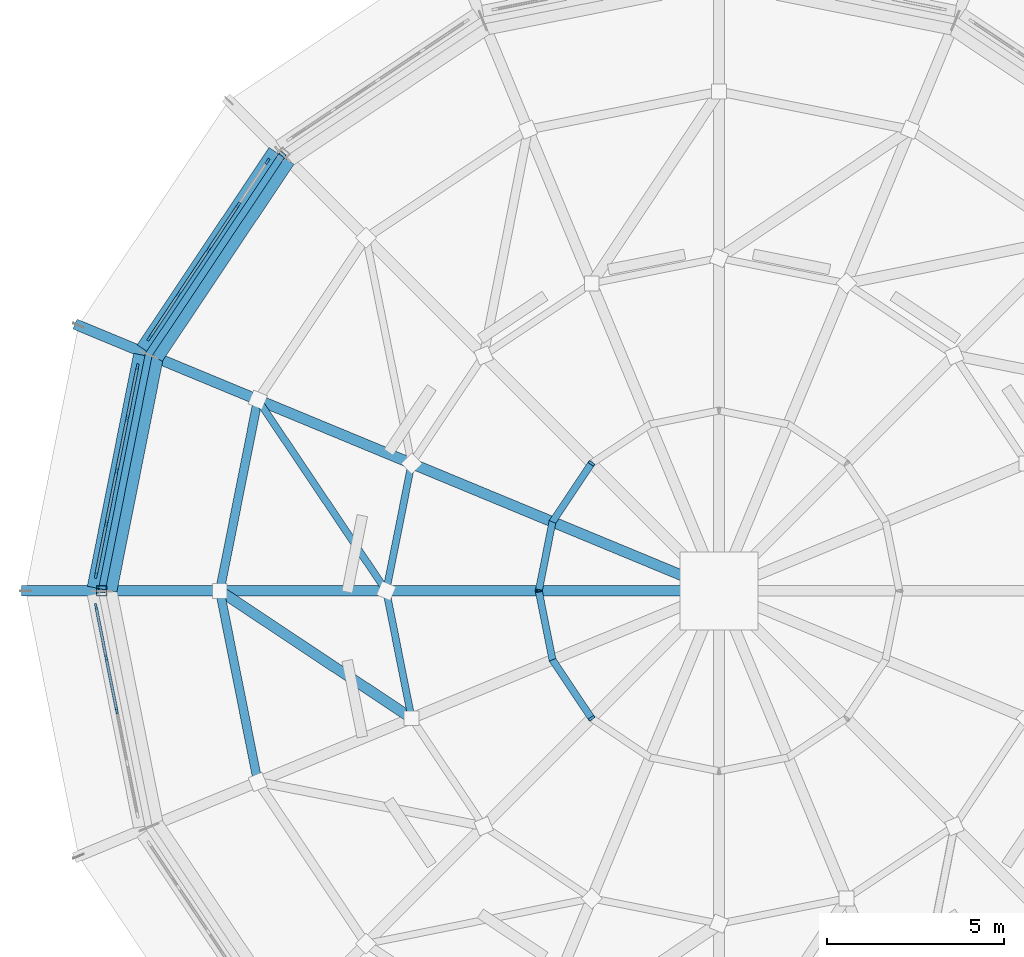
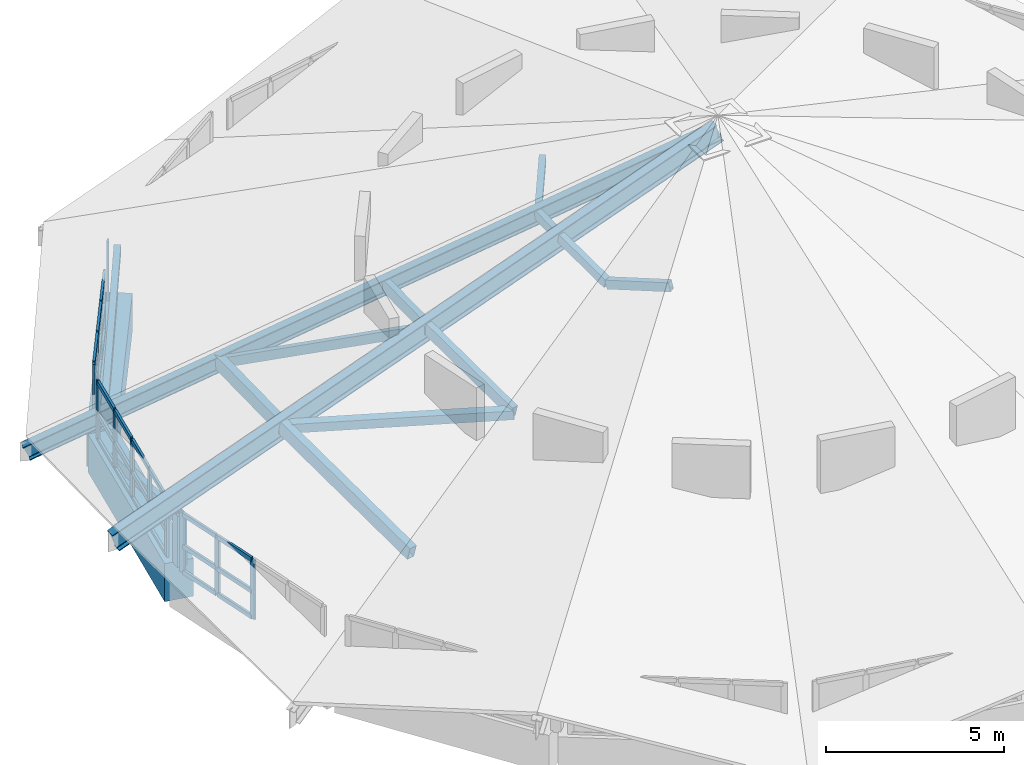
# One storey, part 4 of 18: 55 members, 2 beams, 3 elements without a shape of their own.
"""IFC4 building model written with IfcOpenShell, lengths in metres."""

from ifc_helpers import new_model, si_unit, direction, frame, origin, origin_2d, place, context, subcontext, project, spatial, rectangle, hollow_rectangle, i_section, extrude, material, material_profile, profile_set, type_object, element, aggregate, save


model = new_model("IFC4")

# Units and contexts
model_context = context("Model", 3, precision=1e-05, world=origin(), true_north=direction((0.0, 1.0)))
body_context = subcontext(model_context, "Body", "Model", "MODEL_VIEW")
ifc_project = project(units=[si_unit("LENGTHUNIT", "METRE"), si_unit("AREAUNIT", "SQUARE_METRE"), si_unit("VOLUMEUNIT", "CUBIC_METRE"), si_unit("PLANEANGLEUNIT", "RADIAN"), si_unit("MASSUNIT", "GRAM", prefix="KILO")], contexts=[model_context])

# Site, building, storey
site_placement = place(None, origin())
site = spatial("IfcSite", under=ifc_project, at=site_placement, CompositionType="ELEMENT")
building_placement = place(site_placement, origin())
building = spatial("IfcBuilding", under=site, at=building_placement, Name="Soyqirgoq Riverine Aquarium", CompositionType="ELEMENT")
storey_placement = place(building_placement, frame((0.0, 0.0, 29.39990234375)))
storey = spatial("IfcBuildingStorey", under=building, at=storey_placement, Name="RF", CompositionType="ELEMENT", Elevation=29.39990234375)

# Members
ifc_material_1 = material(Name="Structural steel S355", Category="steel")
ifc_material_profile_1 = material_profile(ifc_material_1, hollow_rectangle(XDim=0.199951171875, YDim=0.300048828125, WallThickness=0.011962890625, at=origin_2d()), Name="RHS 300x200x12")
ifc_profile_set_1 = profile_set([ifc_material_profile_1], Name="Structural steel S355")
member_type_1 = type_object("IfcMemberType", Name="ApexRing_RHS300x200", PredefinedType="STRUT", material=ifc_profile_set_1)
for number, where, z_axis, x_axis, name in (
    (1, (52.396484375, 60.603515625, 6.80810546875), (-0.537417023809, -0.804462441475, -0.253027909088), (0.831520982731, -0.555493344045, 0.0), "V1 Folded-Plate Circumferential Ring Chord 0094"),
    (2, (51.2919921875, 58.9501953125, 6.2880859375), (-0.18875253284, -0.948870504923, 0.25301629638), (0.980783212715, -0.195100716701, 0.0), "V1 Folded-Plate Circumferential Ring Chord 0099"),
):
    element("IfcMember", number, at=place(storey_placement, frame(where, z_axis=z_axis, x_axis=x_axis)), inside=storey, type_object=member_type_1, Name=name, PredefinedType="STRUT", context=body_context, shape_type="SweptSolid", body=[
        extrude(hollow_rectangle(XDim=0.199951171875, YDim=0.300048828125, WallThickness=0.011962890625, at=origin_2d()), origin(), (0.0, 0.0, 1.0), 2.05517578125),
    ])
member_1_placement = place(storey_placement, frame((42.962158203125, 62.400390625, 2.0361328125), z_axis=(0.501562687801, -0.746204375448, 0.437737250263), x_axis=(0.829943203229, 0.557847899892, 0.0)))
element("IfcMember", 3, at=member_1_placement, inside=storey, type_object=member_type_1, Name="V1 Folded-Plate Lateral Brace 08", PredefinedType="STRUT", context=body_context, shape_type="SweptSolid", body=[
    extrude(hollow_rectangle(XDim=0.199951171875, YDim=0.300048828125, WallThickness=0.011962890625, at=origin_2d()), origin(), (0.0, 0.0, 1.0), 7.237060546875),
])
for number, where, z_axis, x_axis, name in (
    (4, (50.904052734375, 57.0, 6.80810546875), (0.18875253284, -0.948870504923, -0.25301629638), (0.980783212715, 0.195100716701, 0.0), "V1 Folded-Plate Circumferential Ring Chord 0104"),
    (5, (51.2919921875, 55.0498046875, 6.2880859375), (0.537417023809, -0.804462441475, 0.253027909088), (0.831520982731, 0.555493344045, 0.0), "V1 Folded-Plate Circumferential Ring Chord 0109"),
):
    element("IfcMember", number, at=place(storey_placement, frame(where, z_axis=z_axis, x_axis=x_axis)), inside=storey, type_object=member_type_1, Name=name, PredefinedType="STRUT", context=body_context, shape_type="SweptSolid", body=[
        extrude(hollow_rectangle(XDim=0.199951171875, YDim=0.300048828125, WallThickness=0.011962890625, at=origin_2d()), origin(), (0.0, 0.0, 1.0), 2.05517578125),
    ])

# Curtain wall, members
ifc_material_2 = material(Name="Anodised aluminium acoustic solar-control clerestory glazing", Category="aluminium")
curtain_wall_type = type_object("IfcCurtainWallType", Name="CW_Clerestory_Ring", PredefinedType="NOTDEFINED", material=ifc_material_2)
curtain_wall_1_placement = place(storey_placement, origin())
curtain_wall_1 = element("IfcCurtainWall", 6, at=curtain_wall_1_placement, inside=storey, type_object=curtain_wall_type, Name="V1 RF Curtain Wall 029", PredefinedType="NOTDEFINED")
ifc_material_3 = material(Name="Anodised aluminium 6063-T6", Category="aluminium")
ifc_material_profile_2 = material_profile(ifc_material_3, rectangle(XDim=0.06494140625, YDim=0.179931640625, at=origin_2d()), Name="ALU-M 65x180")
ifc_profile_set_2 = profile_set([ifc_material_profile_2], Name="Anodised aluminium 6063-T6")
member_type_2 = type_object("IfcMemberType", Name="CWMullion_65x180", PredefinedType="MULLION", material=ifc_profile_set_2)
member_2_placement = place(storey_placement, frame((43.23291015625, 69.1396484375, -0.02001953125), z_axis=(0.0, 0.0, 1.0), x_axis=(0.831463994905, -0.555578639957, 0.0)))
member_2 = element("IfcMember", 7, at=member_2_placement, type_object=member_type_2, Name="CW-02 mullion 1", PredefinedType="MULLION", context=body_context, shape_type="SweptSolid", body=[
    extrude(rectangle(XDim=0.06494140625, YDim=0.179931640625, at=origin_2d()), origin(), (0.0, 0.0, 1.0), 2.0400390625),
])
member_3_placement = place(storey_placement, frame((42.408203125, 67.905517578125, -0.02001953125), z_axis=(0.0, 0.0, 1.0), x_axis=(0.831463994905, -0.555578639957, 0.0)))
member_3 = element("IfcMember", 8, at=member_3_placement, type_object=member_type_2, Name="CW-02 mullion 2", PredefinedType="MULLION", context=body_context, shape_type="SweptSolid", body=[
    extrude(rectangle(XDim=0.06494140625, YDim=0.179931640625, at=origin_2d()), origin(), (0.0, 0.0, 1.0), 2.0400390625),
])
member_4_placement = place(storey_placement, frame((41.565673828125, 66.64453125, -0.02001953125), z_axis=(0.0, 0.0, 1.0), x_axis=(0.831463994905, -0.555578639957, 0.0)))
member_4 = element("IfcMember", 9, at=member_4_placement, type_object=member_type_2, Name="CW-02 mullion 3", PredefinedType="MULLION", context=body_context, shape_type="SweptSolid", body=[
    extrude(rectangle(XDim=0.06494140625, YDim=0.179931640625, at=origin_2d()), origin(), (0.0, 0.0, 1.0), 2.0400390625),
])
member_5_placement = place(storey_placement, frame((40.72314453125, 65.3837890625, -0.02001953125), z_axis=(0.0, 0.0, 1.0), x_axis=(0.831463994905, -0.555578639957, 0.0)))
member_5 = element("IfcMember", 10, at=member_5_placement, type_object=member_type_2, Name="CW-02 mullion 4", PredefinedType="MULLION", context=body_context, shape_type="SweptSolid", body=[
    extrude(rectangle(XDim=0.06494140625, YDim=0.179931640625, at=origin_2d()), origin(), (0.0, 0.0, 1.0), 2.0400390625),
])
member_6_placement = place(storey_placement, frame((39.898681640625, 64.149658203125, -0.02001953125), z_axis=(0.0, 0.0, 1.0), x_axis=(0.831463994905, -0.555578639957, 0.0)))
member_6 = element("IfcMember", 11, at=member_6_placement, type_object=member_type_2, Name="CW-02 mullion 5", PredefinedType="MULLION", context=body_context, shape_type="SweptSolid", body=[
    extrude(rectangle(XDim=0.06494140625, YDim=0.179931640625, at=origin_2d()), origin(), (0.0, 0.0, 1.0), 2.0400390625),
])

curtain_wall_2_placement = place(storey_placement, origin())
curtain_wall_2 = element("IfcCurtainWall", 12, at=curtain_wall_2_placement, inside=storey, type_object=curtain_wall_type, Name="V1 RF Curtain Wall 031", PredefinedType="NOTDEFINED")
member_7_placement = place(storey_placement, frame((39.55908203125, 63.329833984375, -0.02001953125), z_axis=(0.0, 0.0, 1.0), x_axis=(0.980784299821, -0.19509525167, 0.0)))
member_7 = element("IfcMember", 13, at=member_7_placement, type_object=member_type_2, Name="CW-02 mullion 1", PredefinedType="MULLION", context=body_context, shape_type="SweptSolid", body=[
    extrude(rectangle(XDim=0.06494140625, YDim=0.179931640625, at=origin_2d()), origin(), (0.0, 0.0, 1.0), 2.0400390625),
])
member_8_placement = place(storey_placement, frame((39.26953125, 61.874267578125, -0.02001953125), z_axis=(0.0, 0.0, 1.0), x_axis=(0.980784299821, -0.19509525167, 0.0)))
member_8 = element("IfcMember", 14, at=member_8_placement, type_object=member_type_2, Name="CW-02 mullion 2", PredefinedType="MULLION", context=body_context, shape_type="SweptSolid", body=[
    extrude(rectangle(XDim=0.06494140625, YDim=0.179931640625, at=origin_2d()), origin(), (0.0, 0.0, 1.0), 2.0400390625),
])
member_9_placement = place(storey_placement, frame((38.9736328125, 60.38671875, -0.02001953125), z_axis=(0.0, 0.0, 1.0), x_axis=(0.980784299821, -0.19509525167, 0.0)))
member_9 = element("IfcMember", 15, at=member_9_placement, type_object=member_type_2, Name="CW-02 mullion 3", PredefinedType="MULLION", context=body_context, shape_type="SweptSolid", body=[
    extrude(rectangle(XDim=0.06494140625, YDim=0.179931640625, at=origin_2d()), origin(), (0.0, 0.0, 1.0), 2.0400390625),
])
member_10_placement = place(storey_placement, frame((38.677734375, 58.8994140625, -0.02001953125), z_axis=(0.0, 0.0, 1.0), x_axis=(0.980784299821, -0.19509525167, 0.0)))
member_10 = element("IfcMember", 16, at=member_10_placement, type_object=member_type_2, Name="CW-02 mullion 4", PredefinedType="MULLION", context=body_context, shape_type="SweptSolid", body=[
    extrude(rectangle(XDim=0.06494140625, YDim=0.179931640625, at=origin_2d()), origin(), (0.0, 0.0, 1.0), 2.0400390625),
])
member_11_placement = place(storey_placement, frame((38.38818359375, 57.44384765625, -0.02001953125), z_axis=(0.0, 0.0, 1.0), x_axis=(0.980784299821, -0.19509525167, 0.0)))
member_11 = element("IfcMember", 17, at=member_11_placement, type_object=member_type_2, Name="CW-02 mullion 5", PredefinedType="MULLION", context=body_context, shape_type="SweptSolid", body=[
    extrude(rectangle(XDim=0.06494140625, YDim=0.179931640625, at=origin_2d()), origin(), (0.0, 0.0, 1.0), 2.0400390625),
])

curtain_wall_3_placement = place(storey_placement, origin())
curtain_wall_3 = element("IfcCurtainWall", 18, at=curtain_wall_3_placement, inside=storey, type_object=curtain_wall_type, Name="V1 RF Curtain Wall 033", PredefinedType="NOTDEFINED")
member_12_placement = place(storey_placement, frame((38.38818359375, 56.55615234375, -0.02001953125), z_axis=(0.0, 0.0, 1.0), x_axis=(0.980784299821, 0.19509525167, 0.0)))
member_12 = element("IfcMember", 19, at=member_12_placement, type_object=member_type_2, Name="CW-02 mullion 1", PredefinedType="MULLION", context=body_context, shape_type="SweptSolid", body=[
    extrude(rectangle(XDim=0.06494140625, YDim=0.179931640625, at=origin_2d()), origin(), (0.0, 0.0, 1.0), 2.0400390625),
])
member_13_placement = place(storey_placement, frame((38.677734375, 55.1005859375, -0.02001953125), z_axis=(0.0, 0.0, 1.0), x_axis=(0.980784299821, 0.19509525167, 0.0)))
member_13 = element("IfcMember", 20, at=member_13_placement, type_object=member_type_2, Name="CW-02 mullion 2", PredefinedType="MULLION", context=body_context, shape_type="SweptSolid", body=[
    extrude(rectangle(XDim=0.06494140625, YDim=0.179931640625, at=origin_2d()), origin(), (0.0, 0.0, 1.0), 2.0400390625),
])
member_14_placement = place(storey_placement, frame((38.9736328125, 53.61328125, -0.02001953125), z_axis=(0.0, 0.0, 1.0), x_axis=(0.980784299821, 0.19509525167, 0.0)))
member_14 = element("IfcMember", 21, at=member_14_placement, type_object=member_type_2, Name="CW-02 mullion 3", PredefinedType="MULLION", context=body_context, shape_type="SweptSolid", body=[
    extrude(rectangle(XDim=0.06494140625, YDim=0.179931640625, at=origin_2d()), origin(), (0.0, 0.0, 1.0), 2.0400390625),
])

# Member
ifc_material_4 = material(Name="Anodised aluminium 6063-T6", Category="aluminium")
ifc_material_profile_3 = material_profile(ifc_material_4, rectangle(XDim=0.074951171875, YDim=0.14990234375, at=origin_2d()), Name="ALU-T 75x150")
ifc_profile_set_3 = profile_set([ifc_material_profile_3], Name="Anodised aluminium 6063-T6")
member_type_3 = type_object("IfcMemberType", Name="CWTransom_75x150", PredefinedType="USERDEFINED", material=ifc_profile_set_3)
member_15_placement = place(storey_placement, frame((42.390380859375, 67.878662109375, 0.017578125), z_axis=(-0.555631247688, -0.831428840366, 0.0), x_axis=(0.831428840366, -0.555631247688, 0.0)))
member_15 = element("IfcMember", 22, at=member_15_placement, type_object=member_type_3, Name="CW-02 transom 2.1", ObjectType="TRANSOM", PredefinedType="USERDEFINED", context=body_context, shape_type="SweptSolid", body=[
    extrude(rectangle(XDim=0.074951171875, YDim=0.14990234375, at=origin_2d()), origin(), (0.0, 0.0, 1.0), 1.45166015625),
])

member_16_placement = place(storey_placement, frame((42.390380859375, 67.878662109375, 0.898193359375), z_axis=(-0.555631247688, -0.831428840366, 0.0), x_axis=(0.831428840366, -0.555631247688, 0.0)))
member_16 = element("IfcMember", 23, at=member_16_placement, type_object=member_type_3, Name="CW-02 transom 2.2", ObjectType="TRANSOM", PredefinedType="USERDEFINED", context=body_context, shape_type="SweptSolid", body=[
    extrude(rectangle(XDim=0.074951171875, YDim=0.14990234375, at=origin_2d()), origin(), (0.0, 0.0, 1.0), 1.45166015625),
])

member_17_placement = place(storey_placement, frame((42.390380859375, 67.878662109375, 1.982666015625), z_axis=(-0.555631247688, -0.831428840366, 0.0), x_axis=(0.831428840366, -0.555631247688, 0.0)))
member_17 = element("IfcMember", 24, at=member_17_placement, type_object=member_type_3, Name="CW-02 transom 2.3", ObjectType="TRANSOM", PredefinedType="USERDEFINED", context=body_context, shape_type="SweptSolid", body=[
    extrude(rectangle(XDim=0.074951171875, YDim=0.14990234375, at=origin_2d()), origin(), (0.0, 0.0, 1.0), 1.45166015625),
])

member_18_placement = place(storey_placement, frame((41.547607421875, 66.61767578125, 0.017578125), z_axis=(-0.555514980368, -0.831506528289, 0.0), x_axis=(0.831506528289, -0.555514980368, 0.0)))
member_18 = element("IfcMember", 25, at=member_18_placement, type_object=member_type_3, Name="CW-02 transom 3.1", ObjectType="TRANSOM", PredefinedType="USERDEFINED", context=body_context, shape_type="SweptSolid", body=[
    extrude(rectangle(XDim=0.074951171875, YDim=0.14990234375, at=origin_2d()), origin(), (0.0, 0.0, 1.0), 1.45166015625),
])

member_19_placement = place(storey_placement, frame((41.547607421875, 66.61767578125, 0.898193359375), z_axis=(-0.555514980368, -0.831506528289, 0.0), x_axis=(0.831506528289, -0.555514980368, 0.0)))
member_19 = element("IfcMember", 26, at=member_19_placement, type_object=member_type_3, Name="CW-02 transom 3.2", ObjectType="TRANSOM", PredefinedType="USERDEFINED", context=body_context, shape_type="SweptSolid", body=[
    extrude(rectangle(XDim=0.074951171875, YDim=0.14990234375, at=origin_2d()), origin(), (0.0, 0.0, 1.0), 1.45166015625),
])

member_20_placement = place(storey_placement, frame((41.547607421875, 66.61767578125, 1.982666015625), z_axis=(-0.555514980368, -0.831506528289, 0.0), x_axis=(0.831506528289, -0.555514980368, 0.0)))
member_20 = element("IfcMember", 27, at=member_20_placement, type_object=member_type_3, Name="CW-02 transom 3.3", ObjectType="TRANSOM", PredefinedType="USERDEFINED", context=body_context, shape_type="SweptSolid", body=[
    extrude(rectangle(XDim=0.074951171875, YDim=0.14990234375, at=origin_2d()), origin(), (0.0, 0.0, 1.0), 1.45166015625),
])

member_21_placement = place(storey_placement, frame((40.705078125, 65.356689453125, 0.017578125), z_axis=(-0.55553367483, -0.831494038542, 0.0), x_axis=(0.831494038542, -0.55553367483, 0.0)))
member_21 = element("IfcMember", 28, at=member_21_placement, type_object=member_type_3, Name="CW-02 transom 4.1", ObjectType="TRANSOM", PredefinedType="USERDEFINED", context=body_context, shape_type="SweptSolid", body=[
    extrude(rectangle(XDim=0.074951171875, YDim=0.14990234375, at=origin_2d()), origin(), (0.0, 0.0, 1.0), 1.4189453125),
])

member_22_placement = place(storey_placement, frame((40.705078125, 65.356689453125, 0.898193359375), z_axis=(-0.55553367483, -0.831494038542, 0.0), x_axis=(0.831494038542, -0.55553367483, 0.0)))
member_22 = element("IfcMember", 29, at=member_22_placement, type_object=member_type_3, Name="CW-02 transom 4.2", ObjectType="TRANSOM", PredefinedType="USERDEFINED", context=body_context, shape_type="SweptSolid", body=[
    extrude(rectangle(XDim=0.074951171875, YDim=0.14990234375, at=origin_2d()), origin(), (0.0, 0.0, 1.0), 1.4189453125),
])

member_23_placement = place(storey_placement, frame((40.705078125, 65.356689453125, 1.982666015625), z_axis=(-0.55553367483, -0.831494038542, 0.0), x_axis=(0.831494038542, -0.55553367483, 0.0)))
member_23 = element("IfcMember", 30, at=member_23_placement, type_object=member_type_3, Name="CW-02 transom 4.3", ObjectType="TRANSOM", PredefinedType="USERDEFINED", context=body_context, shape_type="SweptSolid", body=[
    extrude(rectangle(XDim=0.074951171875, YDim=0.14990234375, at=origin_2d()), origin(), (0.0, 0.0, 1.0), 1.4189453125),
])

aggregate(curtain_wall_1, [member_2, member_3, member_4, member_5, member_6, member_15, member_16, member_17, member_18, member_19, member_20, member_21, member_22, member_23])

member_24_placement = place(storey_placement, frame((39.552734375, 63.2978515625, 0.017578125), z_axis=(-0.195090420246, -0.980785260864, 0.0), x_axis=(0.980785260864, -0.195090420246, 0.0)))
member_24 = element("IfcMember", 31, at=member_24_placement, type_object=member_type_3, Name="CW-02 transom 1.1", ObjectType="TRANSOM", PredefinedType="USERDEFINED", context=body_context, shape_type="SweptSolid", body=[
    extrude(rectangle(XDim=0.074951171875, YDim=0.14990234375, at=origin_2d()), origin(), (0.0, 0.0, 1.0), 1.419189453125),
])

member_25_placement = place(storey_placement, frame((39.552734375, 63.2978515625, 0.898193359375), z_axis=(-0.195090420246, -0.980785260864, 0.0), x_axis=(0.980785260864, -0.195090420246, 0.0)))
member_25 = element("IfcMember", 32, at=member_25_placement, type_object=member_type_3, Name="CW-02 transom 1.2", ObjectType="TRANSOM", PredefinedType="USERDEFINED", context=body_context, shape_type="SweptSolid", body=[
    extrude(rectangle(XDim=0.074951171875, YDim=0.14990234375, at=origin_2d()), origin(), (0.0, 0.0, 1.0), 1.419189453125),
])

member_26_placement = place(storey_placement, frame((39.552734375, 63.2978515625, 1.982666015625), z_axis=(-0.195090420246, -0.980785260864, 0.0), x_axis=(0.980785260864, -0.195090420246, 0.0)))
member_26 = element("IfcMember", 33, at=member_26_placement, type_object=member_type_3, Name="CW-02 transom 1.3", ObjectType="TRANSOM", PredefinedType="USERDEFINED", context=body_context, shape_type="SweptSolid", body=[
    extrude(rectangle(XDim=0.074951171875, YDim=0.14990234375, at=origin_2d()), origin(), (0.0, 0.0, 1.0), 1.419189453125),
])

member_27_placement = place(storey_placement, frame((39.26318359375, 61.84228515625, 0.017578125), z_axis=(-0.195113295173, -0.980780710478, 0.0), x_axis=(0.980780710478, -0.195113295173, 0.0)))
member_27 = element("IfcMember", 34, at=member_27_placement, type_object=member_type_3, Name="CW-02 transom 2.1", ObjectType="TRANSOM", PredefinedType="USERDEFINED", context=body_context, shape_type="SweptSolid", body=[
    extrude(rectangle(XDim=0.074951171875, YDim=0.14990234375, at=origin_2d()), origin(), (0.0, 0.0, 1.0), 1.451416015625),
])

member_28_placement = place(storey_placement, frame((39.26318359375, 61.84228515625, 0.898193359375), z_axis=(-0.195113295173, -0.980780710478, 0.0), x_axis=(0.980780710478, -0.195113295173, 0.0)))
member_28 = element("IfcMember", 35, at=member_28_placement, type_object=member_type_3, Name="CW-02 transom 2.2", ObjectType="TRANSOM", PredefinedType="USERDEFINED", context=body_context, shape_type="SweptSolid", body=[
    extrude(rectangle(XDim=0.074951171875, YDim=0.14990234375, at=origin_2d()), origin(), (0.0, 0.0, 1.0), 1.451416015625),
])

member_29_placement = place(storey_placement, frame((39.26318359375, 61.84228515625, 1.982666015625), z_axis=(-0.195113295173, -0.980780710478, 0.0), x_axis=(0.980780710478, -0.195113295173, 0.0)))
member_29 = element("IfcMember", 36, at=member_29_placement, type_object=member_type_3, Name="CW-02 transom 2.3", ObjectType="TRANSOM", PredefinedType="USERDEFINED", context=body_context, shape_type="SweptSolid", body=[
    extrude(rectangle(XDim=0.074951171875, YDim=0.14990234375, at=origin_2d()), origin(), (0.0, 0.0, 1.0), 1.451416015625),
])

member_30_placement = place(storey_placement, frame((38.96728515625, 60.35498046875, 0.017578125), z_axis=(-0.195081112847, -0.980787112176, 0.0), x_axis=(0.980787112176, -0.195081112847, 0.0)))
member_30 = element("IfcMember", 37, at=member_30_placement, type_object=member_type_3, Name="CW-02 transom 3.1", ObjectType="TRANSOM", PredefinedType="USERDEFINED", context=body_context, shape_type="SweptSolid", body=[
    extrude(rectangle(XDim=0.074951171875, YDim=0.14990234375, at=origin_2d()), origin(), (0.0, 0.0, 1.0), 1.45166015625),
])

member_31_placement = place(storey_placement, frame((38.96728515625, 60.35498046875, 0.898193359375), z_axis=(-0.195081112847, -0.980787112176, 0.0), x_axis=(0.980787112176, -0.195081112847, 0.0)))
member_31 = element("IfcMember", 38, at=member_31_placement, type_object=member_type_3, Name="CW-02 transom 3.2", ObjectType="TRANSOM", PredefinedType="USERDEFINED", context=body_context, shape_type="SweptSolid", body=[
    extrude(rectangle(XDim=0.074951171875, YDim=0.14990234375, at=origin_2d()), origin(), (0.0, 0.0, 1.0), 1.45166015625),
])

member_32_placement = place(storey_placement, frame((38.96728515625, 60.35498046875, 1.982666015625), z_axis=(-0.195081112847, -0.980787112176, 0.0), x_axis=(0.980787112176, -0.195081112847, 0.0)))
member_32 = element("IfcMember", 39, at=member_32_placement, type_object=member_type_3, Name="CW-02 transom 3.3", ObjectType="TRANSOM", PredefinedType="USERDEFINED", context=body_context, shape_type="SweptSolid", body=[
    extrude(rectangle(XDim=0.074951171875, YDim=0.14990234375, at=origin_2d()), origin(), (0.0, 0.0, 1.0), 1.45166015625),
])

member_33_placement = place(storey_placement, frame((38.67138671875, 58.867431640625, 0.017578125), z_axis=(-0.195090420246, -0.980785260864, 0.0), x_axis=(0.980785260864, -0.195090420246, 0.0)))
member_33 = element("IfcMember", 40, at=member_33_placement, type_object=member_type_3, Name="CW-02 transom 4.1", ObjectType="TRANSOM", PredefinedType="USERDEFINED", context=body_context, shape_type="SweptSolid", body=[
    extrude(rectangle(XDim=0.074951171875, YDim=0.14990234375, at=origin_2d()), origin(), (0.0, 0.0, 1.0), 1.419189453125),
])

member_34_placement = place(storey_placement, frame((38.67138671875, 58.867431640625, 0.898193359375), z_axis=(-0.195090420246, -0.980785260864, 0.0), x_axis=(0.980785260864, -0.195090420246, 0.0)))
member_34 = element("IfcMember", 41, at=member_34_placement, type_object=member_type_3, Name="CW-02 transom 4.2", ObjectType="TRANSOM", PredefinedType="USERDEFINED", context=body_context, shape_type="SweptSolid", body=[
    extrude(rectangle(XDim=0.074951171875, YDim=0.14990234375, at=origin_2d()), origin(), (0.0, 0.0, 1.0), 1.419189453125),
])

member_35_placement = place(storey_placement, frame((38.67138671875, 58.867431640625, 1.982666015625), z_axis=(-0.195090420246, -0.980785260864, 0.0), x_axis=(0.980785260864, -0.195090420246, 0.0)))
member_35 = element("IfcMember", 42, at=member_35_placement, type_object=member_type_3, Name="CW-02 transom 4.3", ObjectType="TRANSOM", PredefinedType="USERDEFINED", context=body_context, shape_type="SweptSolid", body=[
    extrude(rectangle(XDim=0.074951171875, YDim=0.14990234375, at=origin_2d()), origin(), (0.0, 0.0, 1.0), 1.419189453125),
])

aggregate(curtain_wall_2, [member_7, member_8, member_9, member_10, member_11, member_24, member_25, member_26, member_27, member_28, member_29, member_30, member_31, member_32, member_33, member_34, member_35])

member_36_placement = place(storey_placement, frame((38.39453125, 56.5244140625, 0.017578125), z_axis=(0.195090420246, -0.980785260864, 0.0), x_axis=(0.980785260864, 0.195090420246, 0.0)))
member_36 = element("IfcMember", 43, at=member_36_placement, type_object=member_type_3, Name="CW-02 transom 1.1", ObjectType="TRANSOM", PredefinedType="USERDEFINED", context=body_context, shape_type="SweptSolid", body=[
    extrude(rectangle(XDim=0.074951171875, YDim=0.14990234375, at=origin_2d()), origin(), (0.0, 0.0, 1.0), 1.419189453125),
])

member_37_placement = place(storey_placement, frame((38.39453125, 56.5244140625, 0.898193359375), z_axis=(0.195090420246, -0.980785260864, 0.0), x_axis=(0.980785260864, 0.195090420246, 0.0)))
member_37 = element("IfcMember", 44, at=member_37_placement, type_object=member_type_3, Name="CW-02 transom 1.2", ObjectType="TRANSOM", PredefinedType="USERDEFINED", context=body_context, shape_type="SweptSolid", body=[
    extrude(rectangle(XDim=0.074951171875, YDim=0.14990234375, at=origin_2d()), origin(), (0.0, 0.0, 1.0), 1.419189453125),
])

member_38_placement = place(storey_placement, frame((38.39453125, 56.5244140625, 1.982666015625), z_axis=(0.195090420246, -0.980785260864, 0.0), x_axis=(0.980785260864, 0.195090420246, 0.0)))
member_38 = element("IfcMember", 45, at=member_38_placement, type_object=member_type_3, Name="CW-02 transom 1.3", ObjectType="TRANSOM", PredefinedType="USERDEFINED", context=body_context, shape_type="SweptSolid", body=[
    extrude(rectangle(XDim=0.074951171875, YDim=0.14990234375, at=origin_2d()), origin(), (0.0, 0.0, 1.0), 1.419189453125),
])

member_39_placement = place(storey_placement, frame((38.68408203125, 55.06884765625, 0.017578125), z_axis=(0.195081112847, -0.980787112176, 0.0), x_axis=(0.980787112176, 0.195081112847, 0.0)))
member_39 = element("IfcMember", 46, at=member_39_placement, type_object=member_type_3, Name="CW-02 transom 2.1", ObjectType="TRANSOM", PredefinedType="USERDEFINED", context=body_context, shape_type="SweptSolid", body=[
    extrude(rectangle(XDim=0.074951171875, YDim=0.14990234375, at=origin_2d()), origin(), (0.0, 0.0, 1.0), 1.45166015625),
])

member_40_placement = place(storey_placement, frame((38.68408203125, 55.06884765625, 0.898193359375), z_axis=(0.195081112847, -0.980787112176, 0.0), x_axis=(0.980787112176, 0.195081112847, 0.0)))
member_40 = element("IfcMember", 47, at=member_40_placement, type_object=member_type_3, Name="CW-02 transom 2.2", ObjectType="TRANSOM", PredefinedType="USERDEFINED", context=body_context, shape_type="SweptSolid", body=[
    extrude(rectangle(XDim=0.074951171875, YDim=0.14990234375, at=origin_2d()), origin(), (0.0, 0.0, 1.0), 1.45166015625),
])

member_41_placement = place(storey_placement, frame((38.68408203125, 55.06884765625, 1.982666015625), z_axis=(0.195081112847, -0.980787112176, 0.0), x_axis=(0.980787112176, 0.195081112847, 0.0)))
member_41 = element("IfcMember", 48, at=member_41_placement, type_object=member_type_3, Name="CW-02 transom 2.3", ObjectType="TRANSOM", PredefinedType="USERDEFINED", context=body_context, shape_type="SweptSolid", body=[
    extrude(rectangle(XDim=0.074951171875, YDim=0.14990234375, at=origin_2d()), origin(), (0.0, 0.0, 1.0), 1.45166015625),
])

aggregate(curtain_wall_3, [member_12, member_13, member_14, member_36, member_37, member_38, member_39, member_40, member_41])

# Members
ifc_material_5 = material(Name="Structural steel S355", Category="steel")
ifc_material_profile_4 = material_profile(ifc_material_5, i_section(OverallWidth=0.300048828125, OverallDepth=0.5, WebThickness=0.014404296875, FlangeThickness=0.028076171875, FilletRadius=0.027099609375, at=origin_2d()), Name="HEB 500")
ifc_profile_set_4 = profile_set([ifc_material_profile_4], Name="Structural steel S355")
member_type_4 = type_object("IfcMemberType", Name="FoldChord_HEB500", PredefinedType="CHORD", material=ifc_profile_set_4)
member_42_placement = place(storey_placement, frame((37.89208984375, 64.50048828125, -0.52001953125), z_axis=(0.836326324469, -0.346415226376, 0.42491736836), x_axis=(0.382681094144, 0.923880501031, 0.0)))
element("IfcMember", 49, at=member_42_placement, inside=storey, type_object=member_type_4, Name="V1 Radial Folded-Plate Valley Rib 08", PredefinedType="CHORD", context=body_context, shape_type="SweptSolid", body=[
    extrude(i_section(OverallWidth=0.300048828125, OverallDepth=0.5, WebThickness=0.014404296875, FlangeThickness=0.028076171875, FilletRadius=0.027099609375, at=origin_2d()), origin(), (0.0, 0.0, 1.0), 21.651611328125),
])
ifc_material_6 = material(Name="Structural steel S355", Category="steel")
ifc_material_profile_5 = material_profile(ifc_material_6, i_section(OverallWidth=0.300048828125, OverallDepth=0.64990234375, WebThickness=0.01611328125, FlangeThickness=0.031005859375, FilletRadius=0.027099609375, at=origin_2d()), Name="HEB 650")
ifc_profile_set_5 = profile_set([ifc_material_profile_5], Name="Structural steel S355")
member_type_5 = type_object("IfcMemberType", Name="FoldChord_HEB650", PredefinedType="CHORD", material=ifc_profile_set_5)
member_43_placement = place(storey_placement, frame((36.39990234375, 57.0, 1.47998046875), z_axis=(0.938667288056, 0.0, 0.34482419047), x_axis=(0.0, 1.0, 0.0)))
element("IfcMember", 50, at=member_43_placement, inside=storey, type_object=member_type_5, Name="V1 Radial Folded-Plate Ridge Rib 09", PredefinedType="CHORD", context=body_context, shape_type="SweptSolid", body=[
    extrude(i_section(OverallWidth=0.300048828125, OverallDepth=0.64990234375, WebThickness=0.01611328125, FlangeThickness=0.031005859375, FilletRadius=0.027099609375, at=origin_2d()), origin(), (0.0, 0.0, 1.0), 20.880859375),
])
ifc_material_7 = material(Name="Structural steel S355", Category="steel")
ifc_material_profile_6 = material_profile(ifc_material_7, hollow_rectangle(XDim=0.199951171875, YDim=0.35009765625, WallThickness=0.012451171875, at=origin_2d()), Name="RHS 350x200x12.5")
ifc_profile_set_6 = profile_set([ifc_material_profile_6], Name="Structural steel S355")
member_type_6 = type_object("IfcMemberType", Name="GableChord_RHS350x200", PredefinedType="CHORD", material=ifc_profile_set_6)
member_44_placement = place(storey_placement, frame((43.660888671875, 69.339111328125, 1.47998046875), z_axis=(-0.533015890105, -0.797786450374, -0.281834775172), x_axis=(0.831492708817, -0.555535665087, 0.0)))
element("IfcMember", 51, at=member_44_placement, inside=storey, type_object=member_type_6, Name="V1 Folded-Plate Gable Edge Chord 07", PredefinedType="CHORD", context=body_context, shape_type="SweptSolid", body=[
    extrude(hollow_rectangle(XDim=0.199951171875, YDim=0.35009765625, WallThickness=0.012451171875, at=origin_2d()), origin(), (0.0, 0.0, 1.0), 7.096435546875),
])
member_45_placement = place(storey_placement, frame((39.87841796875, 63.677734375, -0.52001953125), z_axis=(-0.187193232054, -0.941023577126, 0.281839176068), x_axis=(0.980782886305, -0.195102357575, 0.0)))
element("IfcMember", 52, at=member_45_placement, inside=storey, type_object=member_type_6, Name="V1 Folded-Plate Gable Edge Chord 08", PredefinedType="CHORD", context=body_context, shape_type="SweptSolid", body=[
    extrude(hollow_rectangle(XDim=0.199951171875, YDim=0.35009765625, WallThickness=0.012451171875, at=origin_2d()), origin(), (0.0, 0.0, 1.0), 7.09619140625),
])

# Beams
ifc_material_8 = material(Name="Concrete C40/50", Category="concrete")
ifc_material_profile_7 = material_profile(ifc_material_8, rectangle(XDim=0.85009765625, YDim=1.300048828125, at=origin_2d()), Name="RC 850x1300")
ifc_profile_set_7 = profile_set([ifc_material_profile_7], Name="Concrete C40/50")
beam_type = type_object("IfcBeamType", Name="Girder_RC_850x1300", PredefinedType="BEAM", material=ifc_profile_set_7)
beam_1_placement = place(storey_placement, frame((43.63330078125, 69.29736328125, -0.64990234375), z_axis=(-0.555598478126, -0.831450738832, 0.0), x_axis=(0.831450738832, -0.555598478126, 0.0)))
element("IfcBeam", 53, at=beam_1_placement, inside=storey, type_object=beam_type, Name="V1 RF Folded-Plate Compression Ring Girder 0160", PredefinedType="BEAM", context=body_context, shape_type="SweptSolid", body=[
    extrude(rectangle(XDim=0.85009765625, YDim=1.300048828125, at=origin_2d()), origin(), (0.0, 0.0, 1.0), 6.70849609375),
])
beam_2_placement = place(storey_placement, frame((39.868408203125, 63.62890625, -0.64990234375), z_axis=(-0.195059263618, -0.980791457792, 0.0), x_axis=(0.980791457792, -0.195059263618, 0.0)))
element("IfcBeam", 54, at=beam_2_placement, inside=storey, type_object=beam_type, Name="V1 RF Folded-Plate Compression Ring Girder 0161", PredefinedType="BEAM", context=body_context, shape_type="SweptSolid", body=[
    extrude(rectangle(XDim=0.85009765625, YDim=1.300048828125, at=origin_2d()), origin(), (0.0, 0.0, 1.0), 6.708740234375),
])

# Members
ifc_material_9 = material(Name="Structural steel S355", Category="steel")
ifc_material_profile_8 = material_profile(ifc_material_9, hollow_rectangle(XDim=0.199951171875, YDim=0.39990234375, WallThickness=0.013916015625, at=origin_2d()), Name="RHS 400x200x14")
ifc_profile_set_8 = profile_set([ifc_material_profile_8], Name="Structural steel S355")
member_type_7 = type_object("IfcMemberType", Name="RingChord_RHS400x200", PredefinedType="CHORD", material=ifc_profile_set_8)
for number, where, z_axis, x_axis, name in (
    (55, (47.30810546875, 60.600341796875, 4.26416015625), (-0.188720952302, -0.948880969516, 0.253000608404), (0.980789870062, -0.195067246823, 0.0), "V1 Folded-Plate Circumferential Ring Chord 0098"),
    (56, (46.592041015625, 57.0, 5.22412109375), (0.188720952302, -0.948880969516, -0.253000608404), (0.980789870062, 0.195067246823, 0.0), "V1 Folded-Plate Circumferential Ring Chord 0103"),
):
    element("IfcMember", number, at=place(storey_placement, frame(where, z_axis=z_axis, x_axis=x_axis)), inside=storey, type_object=member_type_7, Name=name, PredefinedType="CHORD", context=body_context, shape_type="SweptSolid", body=[
        extrude(hollow_rectangle(XDim=0.199951171875, YDim=0.39990234375, WallThickness=0.013916015625, at=origin_2d()), origin(), (0.0, 0.0, 1.0), 3.794189453125),
    ])
ifc_material_10 = material(Name="Structural steel S355", Category="steel")
ifc_material_profile_9 = material_profile(ifc_material_10, hollow_rectangle(XDim=0.25, YDim=0.449951171875, WallThickness=0.01611328125, at=origin_2d()), Name="RHS 450x250x16")
ifc_profile_set_9 = profile_set([ifc_material_profile_9], Name="Structural steel S355")
member_type_8 = type_object("IfcMemberType", Name="RingChord_RHS450x250", PredefinedType="CHORD", material=ifc_profile_set_9)
for number, where, z_axis, x_axis, name in (
    (57, (42.962158203125, 62.400390625, 2.05615234375), (-0.188745477529, -0.94887499158, 0.253004733288), (0.980784784652, -0.195092814307, 0.0), "V1 Folded-Plate Circumferential Ring Chord 0097"),
    (58, (41.887939453125, 57.0, 3.49609375), (0.188745477529, -0.94887499158, -0.253004733288), (0.980784784652, 0.195092814307, 0.0), "V1 Folded-Plate Circumferential Ring Chord 0102"),
):
    element("IfcMember", number, at=place(storey_placement, frame(where, z_axis=z_axis, x_axis=x_axis)), inside=storey, type_object=member_type_8, Name=name, PredefinedType="CHORD", context=body_context, shape_type="SweptSolid", body=[
        extrude(hollow_rectangle(XDim=0.25, YDim=0.449951171875, WallThickness=0.01611328125, at=origin_2d()), origin(), (0.0, 0.0, 1.0), 5.69140625),
    ])
ifc_material_11 = material(Name="Structural steel S355", Category="steel")
ifc_material_profile_10 = material_profile(ifc_material_11, hollow_rectangle(XDim=0.300048828125, YDim=0.300048828125, WallThickness=0.01611328125, at=origin_2d()), Name="SHS 300x300x16")
ifc_profile_set_10 = profile_set([ifc_material_profile_10], Name="Structural steel S355")
member_type_9 = type_object("IfcMemberType", Name="Strut_SHS300", PredefinedType="POST", material=ifc_profile_set_10)
member_46_placement = place(storey_placement, frame((38.550048828125, 57.0, -0.0498046875), z_axis=(0.0, 0.0, 1.0), x_axis=(-1.0, 0.0, 0.0)))
element("IfcMember", 59, at=member_46_placement, inside=storey, type_object=member_type_9, Name="V1 Folded-Plate Ridge Post 08", PredefinedType="POST", context=body_context, shape_type="SweptSolid", body=[
    extrude(hollow_rectangle(XDim=0.300048828125, YDim=0.300048828125, WallThickness=0.01611328125, at=origin_2d()), origin(), (0.0, 0.0, 1.0), 1.75),
])
member_47_placement = place(storey_placement, frame((41.887939453125, 57.0, 3.47607421875), z_axis=(0.827235525828, -0.549490667059, 0.117223682008), x_axis=(0.553305410529, 0.832978464715, 0.0)))
element("IfcMember", 60, at=member_47_placement, inside=storey, type_object=member_type_9, Name="V1 Folded-Plate Lateral Brace 09", PredefinedType="POST", context=body_context, shape_type="SweptSolid", body=[
    extrude(hollow_rectangle(XDim=0.300048828125, YDim=0.300048828125, WallThickness=0.01611328125, at=origin_2d()), origin(), (0.0, 0.0, 1.0), 6.55224609375),
])

save(model, "model.ifc")
